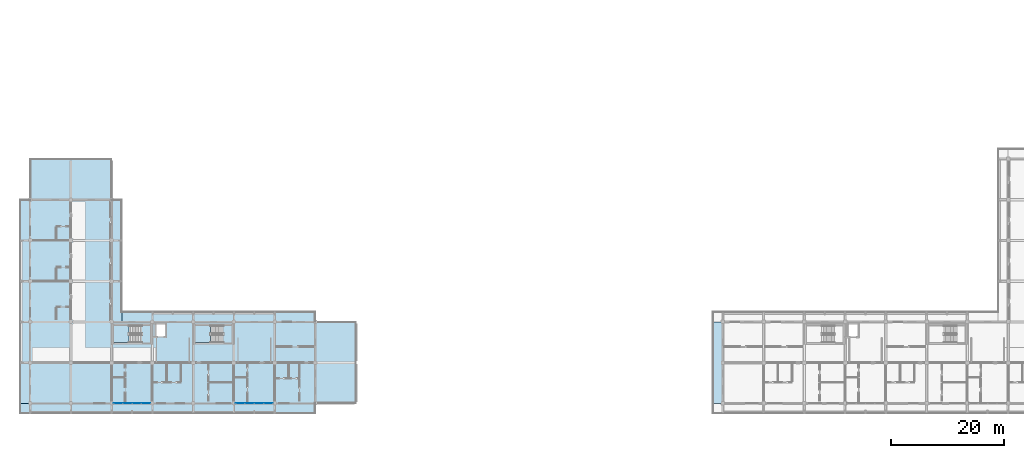
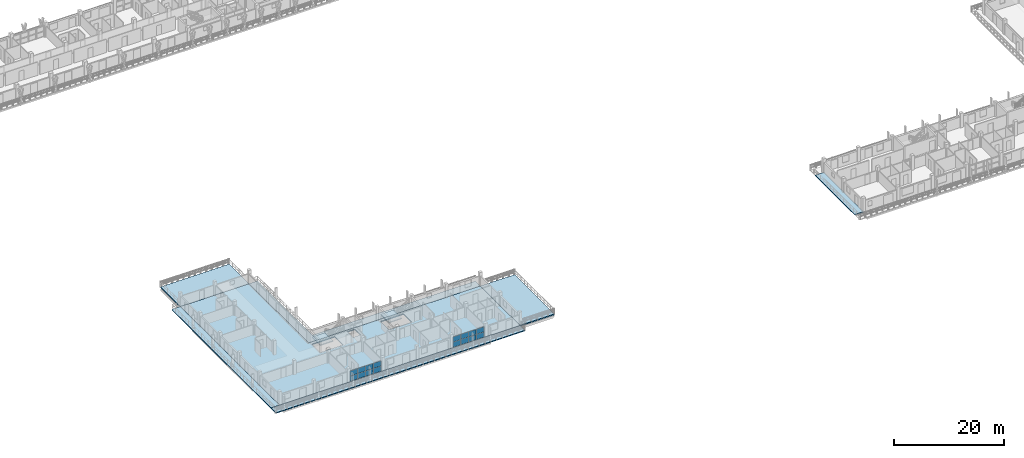
# One storey, part 35 of 78: 16 plates, 10 slabs, 4 elements without a shape of their own.
"""IFC4 building model written with IfcOpenShell, lengths in metres."""

from ifc_helpers import new_model, si_unit, direction, frame, origin, origin_2d, place, context, subcontext, project, spatial, polyline, rectangle, outline, extrude, material, layer, layer_set, type_object, element, aggregate, save


model = new_model("IFC4")

# Units and contexts
model_context = context("Model", 3, precision=1e-05, world=origin(), true_north=direction((0.0, 1.0)))
body_context = subcontext(model_context, "Body", "Model", "MODEL_VIEW")
ifc_project = project(units=[si_unit("LENGTHUNIT", "METRE"), si_unit("AREAUNIT", "SQUARE_METRE"), si_unit("VOLUMEUNIT", "CUBIC_METRE"), si_unit("PLANEANGLEUNIT", "RADIAN"), si_unit("MASSUNIT", "GRAM", prefix="KILO")], contexts=[model_context])

# Site, building, storey
site_placement = place(None, origin())
site = spatial("IfcSite", under=ifc_project, at=site_placement, CompositionType="ELEMENT")
building_placement = place(site_placement, origin())
building = spatial("IfcBuilding", under=site, at=building_placement, Name="Suanplinth Sawtooth Commons", CompositionType="ELEMENT")
storey_placement = place(building_placement, frame((0.0, 0.0, 15.39990234375)))
storey = spatial("IfcBuildingStorey", under=building, at=storey_placement, Name="L04", CompositionType="ELEMENT", Elevation=15.39990234375)

# Curtain wall, plates
ifc_material_1 = material(Name="Anodized aluminium and low-E glazing", Category="aluminium")
curtain_wall_type = type_object("IfcCurtainWallType", Name="CW-06", PredefinedType="USERDEFINED", material=ifc_material_1)
curtain_wall_1_placement = place(storey_placement, origin())
curtain_wall_1 = element("IfcCurtainWall", 1, at=curtain_wall_1_placement, inside=storey, type_object=curtain_wall_type, Name="Curtain Wall CW-L04-D-LOUNGE-2", ObjectType="CURTAIN WALL", PredefinedType="USERDEFINED")
ifc_material_2 = material(Name="Tempered low-E double glazing", Category="glass")
ifc_layer_1 = layer(ifc_material_2, 0.028076171875, Name="Vision low-E insulated glazing unit 28mm")
ifc_layer_set_1 = layer_set([ifc_layer_1], Name="Tempered low-E double glazing")
plate_type = type_object("IfcPlateType", Name="PL-05", PredefinedType="CURTAIN_PANEL", material=ifc_layer_set_1)
plate_1_placement = place(storey_placement, frame((15.541259765625, 0.0, 0.06494140625), z_axis=(0.0, 0.0, 1.0), x_axis=(1.0, 0.0, 0.0)))
plate_1 = element("IfcPlate", 2, at=plate_1_placement, type_object=plate_type, Name="CW-06 panel 1.1", PredefinedType="CURTAIN_PANEL", context=body_context, shape_type="SweptSolid", body=[
    extrude(rectangle(XDim=1.552490234375, YDim=0.028076171875, at=origin_2d()), origin(), (0.0, 0.0, 1.0), 1.117431640625),
])
plate_2_placement = place(storey_placement, frame((15.541259765625, 0.0, 1.24755859375), z_axis=(0.0, 0.0, 1.0), x_axis=(1.0, 0.0, 0.0)))
plate_2 = element("IfcPlate", 3, at=plate_2_placement, type_object=plate_type, Name="CW-06 panel 1.2", PredefinedType="CURTAIN_PANEL", context=body_context, shape_type="SweptSolid", body=[
    extrude(rectangle(XDim=1.552490234375, YDim=0.028076171875, at=origin_2d()), origin(), (0.0, 0.0, 1.0), 1.117431640625),
])
plate_3_placement = place(storey_placement, frame((17.175048828125, 0.0, 0.06494140625), z_axis=(0.0, 0.0, 1.0), x_axis=(1.0, 0.0, 0.0)))
plate_3 = element("IfcPlate", 4, at=plate_3_placement, type_object=plate_type, Name="CW-06 panel 2.1", PredefinedType="CURTAIN_PANEL", context=body_context, shape_type="SweptSolid", body=[
    extrude(rectangle(XDim=1.5849609375, YDim=0.028076171875, at=origin_2d()), origin(), (0.0, 0.0, 1.0), 1.117431640625),
])
plate_4_placement = place(storey_placement, frame((17.175048828125, 0.0, 1.24755859375), z_axis=(0.0, 0.0, 1.0), x_axis=(1.0, 0.0, 0.0)))
plate_4 = element("IfcPlate", 5, at=plate_4_placement, type_object=plate_type, Name="CW-06 panel 2.2", PredefinedType="CURTAIN_PANEL", context=body_context, shape_type="SweptSolid", body=[
    extrude(rectangle(XDim=1.5849609375, YDim=0.028076171875, at=origin_2d()), origin(), (0.0, 0.0, 1.0), 1.117431640625),
])
plate_5_placement = place(storey_placement, frame((18.824951171875, 0.0, 0.06494140625), z_axis=(0.0, 0.0, 1.0), x_axis=(1.0, 0.0, 0.0)))
plate_5 = element("IfcPlate", 6, at=plate_5_placement, type_object=plate_type, Name="CW-06 panel 3.1", PredefinedType="CURTAIN_PANEL", context=body_context, shape_type="SweptSolid", body=[
    extrude(rectangle(XDim=1.5849609375, YDim=0.028076171875, at=origin_2d()), origin(), (0.0, 0.0, 1.0), 1.117431640625),
])
plate_6_placement = place(storey_placement, frame((18.824951171875, 0.0, 1.24755859375), z_axis=(0.0, 0.0, 1.0), x_axis=(1.0, 0.0, 0.0)))
plate_6 = element("IfcPlate", 7, at=plate_6_placement, type_object=plate_type, Name="CW-06 panel 3.2", PredefinedType="CURTAIN_PANEL", context=body_context, shape_type="SweptSolid", body=[
    extrude(rectangle(XDim=1.5849609375, YDim=0.028076171875, at=origin_2d()), origin(), (0.0, 0.0, 1.0), 1.117431640625),
])
plate_7_placement = place(storey_placement, frame((20.458740234375, 0.0, 0.06494140625), z_axis=(0.0, 0.0, 1.0), x_axis=(1.0, 0.0, 0.0)))
plate_7 = element("IfcPlate", 8, at=plate_7_placement, type_object=plate_type, Name="CW-06 panel 4.1", PredefinedType="CURTAIN_PANEL", context=body_context, shape_type="SweptSolid", body=[
    extrude(rectangle(XDim=1.552490234375, YDim=0.028076171875, at=origin_2d()), origin(), (0.0, 0.0, 1.0), 1.117431640625),
])
plate_8_placement = place(storey_placement, frame((20.458740234375, 0.0, 1.24755859375), z_axis=(0.0, 0.0, 1.0), x_axis=(1.0, 0.0, 0.0)))
plate_8 = element("IfcPlate", 9, at=plate_8_placement, type_object=plate_type, Name="CW-06 panel 4.2", PredefinedType="CURTAIN_PANEL", context=body_context, shape_type="SweptSolid", body=[
    extrude(rectangle(XDim=1.552490234375, YDim=0.028076171875, at=origin_2d()), origin(), (0.0, 0.0, 1.0), 1.117431640625),
])
aggregate(curtain_wall_1, [plate_1, plate_2, plate_3, plate_4, plate_5, plate_6, plate_7, plate_8])

curtain_wall_2_placement = place(storey_placement, origin())
curtain_wall_2 = element("IfcCurtainWall", 10, at=curtain_wall_2_placement, inside=storey, type_object=curtain_wall_type, Name="Curtain Wall CW-L04-D-LOUNGE-5", ObjectType="CURTAIN WALL", PredefinedType="USERDEFINED")
plate_9_placement = place(storey_placement, frame((37.141357421875, 0.0, 0.06494140625), z_axis=(0.0, 0.0, 1.0), x_axis=(1.0, 0.0, 0.0)))
plate_9 = element("IfcPlate", 11, at=plate_9_placement, type_object=plate_type, Name="CW-06 panel 1.1", PredefinedType="CURTAIN_PANEL", context=body_context, shape_type="SweptSolid", body=[
    extrude(rectangle(XDim=1.552490234375, YDim=0.028076171875, at=origin_2d()), origin(), (0.0, 0.0, 1.0), 1.117431640625),
])
plate_10_placement = place(storey_placement, frame((37.141357421875, 0.0, 1.24755859375), z_axis=(0.0, 0.0, 1.0), x_axis=(1.0, 0.0, 0.0)))
plate_10 = element("IfcPlate", 12, at=plate_10_placement, type_object=plate_type, Name="CW-06 panel 1.2", PredefinedType="CURTAIN_PANEL", context=body_context, shape_type="SweptSolid", body=[
    extrude(rectangle(XDim=1.552490234375, YDim=0.028076171875, at=origin_2d()), origin(), (0.0, 0.0, 1.0), 1.117431640625),
])
plate_11_placement = place(storey_placement, frame((38.77490234375, 0.0, 0.06494140625), z_axis=(0.0, 0.0, 1.0), x_axis=(1.0, 0.0, 0.0)))
plate_11 = element("IfcPlate", 13, at=plate_11_placement, type_object=plate_type, Name="CW-06 panel 2.1", PredefinedType="CURTAIN_PANEL", context=body_context, shape_type="SweptSolid", body=[
    extrude(rectangle(XDim=1.5849609375, YDim=0.028076171875, at=origin_2d()), origin(), (0.0, 0.0, 1.0), 1.117431640625),
])
plate_12_placement = place(storey_placement, frame((38.77490234375, 0.0, 1.24755859375), z_axis=(0.0, 0.0, 1.0), x_axis=(1.0, 0.0, 0.0)))
plate_12 = element("IfcPlate", 14, at=plate_12_placement, type_object=plate_type, Name="CW-06 panel 2.2", PredefinedType="CURTAIN_PANEL", context=body_context, shape_type="SweptSolid", body=[
    extrude(rectangle(XDim=1.5849609375, YDim=0.028076171875, at=origin_2d()), origin(), (0.0, 0.0, 1.0), 1.117431640625),
])
plate_13_placement = place(storey_placement, frame((40.425048828125, 0.0, 0.06494140625), z_axis=(0.0, 0.0, 1.0), x_axis=(1.0, 0.0, 0.0)))
plate_13 = element("IfcPlate", 15, at=plate_13_placement, type_object=plate_type, Name="CW-06 panel 3.1", PredefinedType="CURTAIN_PANEL", context=body_context, shape_type="SweptSolid", body=[
    extrude(rectangle(XDim=1.5849609375, YDim=0.028076171875, at=origin_2d()), origin(), (0.0, 0.0, 1.0), 1.117431640625),
])
plate_14_placement = place(storey_placement, frame((40.425048828125, 0.0, 1.24755859375), z_axis=(0.0, 0.0, 1.0), x_axis=(1.0, 0.0, 0.0)))
plate_14 = element("IfcPlate", 16, at=plate_14_placement, type_object=plate_type, Name="CW-06 panel 3.2", PredefinedType="CURTAIN_PANEL", context=body_context, shape_type="SweptSolid", body=[
    extrude(rectangle(XDim=1.5849609375, YDim=0.028076171875, at=origin_2d()), origin(), (0.0, 0.0, 1.0), 1.117431640625),
])
plate_15_placement = place(storey_placement, frame((42.058837890625, 0.0, 0.06494140625), z_axis=(0.0, 0.0, 1.0), x_axis=(1.0, 0.0, 0.0)))
plate_15 = element("IfcPlate", 17, at=plate_15_placement, type_object=plate_type, Name="CW-06 panel 4.1", PredefinedType="CURTAIN_PANEL", context=body_context, shape_type="SweptSolid", body=[
    extrude(rectangle(XDim=1.552490234375, YDim=0.028076171875, at=origin_2d()), origin(), (0.0, 0.0, 1.0), 1.117431640625),
])
plate_16_placement = place(storey_placement, frame((42.058837890625, 0.0, 1.24755859375), z_axis=(0.0, 0.0, 1.0), x_axis=(1.0, 0.0, 0.0)))
plate_16 = element("IfcPlate", 18, at=plate_16_placement, type_object=plate_type, Name="CW-06 panel 4.2", PredefinedType="CURTAIN_PANEL", context=body_context, shape_type="SweptSolid", body=[
    extrude(rectangle(XDim=1.552490234375, YDim=0.028076171875, at=origin_2d()), origin(), (0.0, 0.0, 1.0), 1.117431640625),
])
aggregate(curtain_wall_2, [plate_9, plate_10, plate_11, plate_12, plate_13, plate_14, plate_15, plate_16])

# Slabs
ifc_material_3 = material(Name="Precast concrete C40/50", Category="concrete")
ifc_layer_2 = layer(ifc_material_3, 0.179931640625, Name="Wrap-around cantilevered precast balcony slab 180mm")
ifc_layer_set_2 = layer_set([ifc_layer_2], Name="Precast concrete C40/50")
slab_type_1 = type_object("IfcSlabType", Name="S-BL01", PredefinedType="FLOOR", material=ifc_layer_set_2)
slab_1_placement = place(storey_placement, frame((0.0, 0.0, -0.179931640625)))
element("IfcSlab", 19, at=slab_1_placement, inside=storey, type_object=slab_type_1, Name="L04 Block C Wrap-Around Balcony WEND", PredefinedType="FLOOR", context=body_context, shape_type="SweptSolid", body=[
    extrude(outline(polyline([(122.39990234375, 0.0), (120.60009765625, 0.0), (120.60009765625, 14.39990234375), (122.39990234375, 14.39990234375), (122.39990234375, 0.0)])), origin(), (0.0, 0.0, 1.0), 0.179931640625),
])
slab_2_placement = place(storey_placement, frame((0.0, 0.0, -0.179931640625)))
element("IfcSlab", 20, at=slab_2_placement, inside=storey, type_object=slab_type_1, Name="L04 Block D Wrap-Around Balcony S", PredefinedType="FLOOR", context=body_context, shape_type="SweptSolid", body=[
    extrude(outline(polyline([(50.39990234375, -1.800048828125), (-1.800048828125, -1.800048828125), (-1.800048828125, 0.0), (50.39990234375, 0.0), (50.39990234375, -1.800048828125)])), origin(), (0.0, 0.0, 1.0), 0.179931640625),
])
slab_3_placement = place(storey_placement, frame((0.0, 0.0, -0.179931640625)))
element("IfcSlab", 21, at=slab_3_placement, inside=storey, type_object=slab_type_1, Name="L04 Block D Wrap-Around Balcony W", PredefinedType="FLOOR", context=body_context, shape_type="SweptSolid", body=[
    extrude(outline(polyline([(0.0, 0.0), (-1.800048828125, 0.0), (-1.800048828125, 36.0), (0.0, 36.0), (0.0, 0.0)])), origin(), (0.0, 0.0, 1.0), 0.179931640625),
])
ifc_layer_3 = layer(ifc_material_3, 0.175048828125, Name="Courtyard cantilevered precast balcony slab 175mm")
ifc_layer_set_3 = layer_set([ifc_layer_3], Name="Precast concrete C40/50")
slab_type_2 = type_object("IfcSlabType", Name="S-BL02", PredefinedType="FLOOR", material=ifc_layer_set_3)
slab_4_placement = place(storey_placement, frame((0.0, 0.0, -0.1748046875)))
element("IfcSlab", 22, at=slab_4_placement, inside=storey, type_object=slab_type_2, Name="L04 Block D Wrap-Around Balcony NC", PredefinedType="FLOOR", context=body_context, shape_type="SweptSolid", body=[
    extrude(outline(polyline([(16.199951171875, 16.199951171875), (50.39990234375, 16.199951171875), (50.39990234375, 14.39990234375), (16.199951171875, 14.39990234375), (16.199951171875, 16.199951171875)])), origin(), (0.0, 0.0, 1.0), 0.1748046875),
])
slab_5_placement = place(storey_placement, frame((0.0, 0.0, -0.1748046875)))
element("IfcSlab", 23, at=slab_5_placement, inside=storey, type_object=slab_type_2, Name="L04 Block D Wrap-Around Balcony EC", PredefinedType="FLOOR", context=body_context, shape_type="SweptSolid", body=[
    extrude(outline(polyline([(16.199951171875, 36.0), (16.199951171875, 14.39990234375), (14.39990234375, 14.39990234375), (14.39990234375, 36.0), (16.199951171875, 36.0)])), origin(), (0.0, 0.0, 1.0), 0.1748046875),
])
ifc_layer_4 = layer(ifc_material_3, 0.219970703125, Name="Precast hollow-core + topping floor slab 220mm")
ifc_layer_set_4 = layer_set([ifc_layer_4], Name="Precast concrete C40/50")
slab_type_3 = type_object("IfcSlabType", Name="S-FL03", PredefinedType="FLOOR", material=ifc_layer_set_4)
slab_6_placement = place(storey_placement, frame((0.0, 0.0, -0.219970703125)))
element("IfcSlab", 24, at=slab_6_placement, inside=storey, type_object=slab_type_3, Name="L04 Block D Structural Floor Plate", PredefinedType="FLOOR", context=body_context, shape_type="SweptSolid", body=[
    extrude(outline(polyline([(0.0, 0.0), (0.0, 36.0), (14.39990234375, 36.0), (14.39990234375, 14.39990234375), (50.39990234375, 14.39990234375), (50.39990234375, 0.0), (0.0, 0.0)]), holes=[polyline([(14.75, 10.75), (19.510009765625, 10.75), (19.510009765625, 13.75), (14.75, 13.75), (14.75, 10.75)]), polyline([(22.25, 11.85009765625), (23.85009765625, 11.85009765625), (23.85009765625, 13.949951171875), (22.25, 13.949951171875), (22.25, 11.85009765625)]), polyline([(29.14990234375, 10.75), (33.909912109375, 10.75), (33.909912109375, 13.75), (29.14990234375, 13.75), (29.14990234375, 10.75)])]), origin(), (0.0, 0.0, 1.0), 0.219970703125),
])

# Stair, slab
ifc_material_4 = material(Name="Concrete C40/50", Category="concrete")
stair_type = type_object("IfcStairType", Name="ST-07", PredefinedType="USERDEFINED", material=ifc_material_4)
stair_1_placement = place(storey_placement, origin())
stair_1 = element("IfcStair", 25, at=stair_1_placement, inside=storey, type_object=stair_type, Name="L04 Exit Stair ST-W1", ObjectType="TWO_RETURN_STAIR", PredefinedType="USERDEFINED")
ifc_layer_5 = layer(ifc_material_4, 0.199951171875, Name="Reinforced concrete stair and ramp landing slab 200mm")
ifc_layer_set_5 = layer_set([ifc_layer_5], Name="Concrete C40/50")
slab_type_4 = type_object("IfcSlabType", Name="S-LD01", PredefinedType="LANDING", material=ifc_layer_set_5)
slab_7_placement = place(storey_placement, frame((0.0, 0.0, 1.400146484375)))
slab_7 = element("IfcSlab", 26, at=slab_7_placement, type_object=slab_type_4, Name="ST-07 landing 1", PredefinedType="LANDING", context=body_context, shape_type="SweptSolid", body=[
    extrude(outline(polyline([(17.469970703125, 13.75), (14.75, 13.75), (14.75, 10.75), (17.469970703125, 10.75), (17.469970703125, 13.75)])), origin(), (0.0, 0.0, 1.0), 0.199951171875),
])
aggregate(stair_1, [slab_7])

stair_2_placement = place(storey_placement, origin())
stair_2 = element("IfcStair", 27, at=stair_2_placement, inside=storey, type_object=stair_type, Name="L04 Exit Stair ST-W2", ObjectType="TWO_RETURN_STAIR", PredefinedType="USERDEFINED")
slab_8_placement = place(storey_placement, frame((0.0, 0.0, 1.400146484375)))
slab_8 = element("IfcSlab", 28, at=slab_8_placement, type_object=slab_type_4, Name="ST-07 landing 1", PredefinedType="LANDING", context=body_context, shape_type="SweptSolid", body=[
    extrude(outline(polyline([(31.8701171875, 13.75), (29.14990234375, 13.75), (29.14990234375, 10.75), (31.8701171875, 10.75), (31.8701171875, 13.75)])), origin(), (0.0, 0.0, 1.0), 0.199951171875),
])
aggregate(stair_2, [slab_8])

# Slabs
ifc_layer_6 = layer(ifc_material_4, 0.239990234375, Name="Stepped sky-terrace & courtyard garden slab 240mm")
ifc_layer_set_6 = layer_set([ifc_layer_6], Name="Concrete C40/50")
slab_type_5 = type_object("IfcSlabType", Name="S-TR01", PredefinedType="FLOOR", material=ifc_layer_set_6)
slab_9_placement = place(storey_placement, frame((0.0, 0.0, -0.239990234375)))
element("IfcSlab", 29, at=slab_9_placement, inside=storey, type_object=slab_type_5, Name="L04 Block D Stepped Sky-Terrace 1", PredefinedType="FLOOR", context=body_context, shape_type="SweptSolid", body=[
    extrude(outline(polyline([(0.0, 43.199951171875), (14.39990234375, 43.199951171875), (14.39990234375, 36.0), (0.0, 36.0), (0.0, 43.199951171875)])), origin(), (0.0, 0.0, 1.0), 0.239990234375),
])
slab_10_placement = place(storey_placement, frame((0.0, 0.0, -0.239990234375)))
element("IfcSlab", 30, at=slab_10_placement, inside=storey, type_object=slab_type_5, Name="L04 Block D Stepped Sky-Terrace 2", PredefinedType="FLOOR", context=body_context, shape_type="SweptSolid", body=[
    extrude(outline(polyline([(57.60009765625, 14.39990234375), (57.60009765625, 0.0), (50.39990234375, 0.0), (50.39990234375, 14.39990234375), (57.60009765625, 14.39990234375)])), origin(), (0.0, 0.0, 1.0), 0.239990234375),
])

save(model, "model.ifc")
